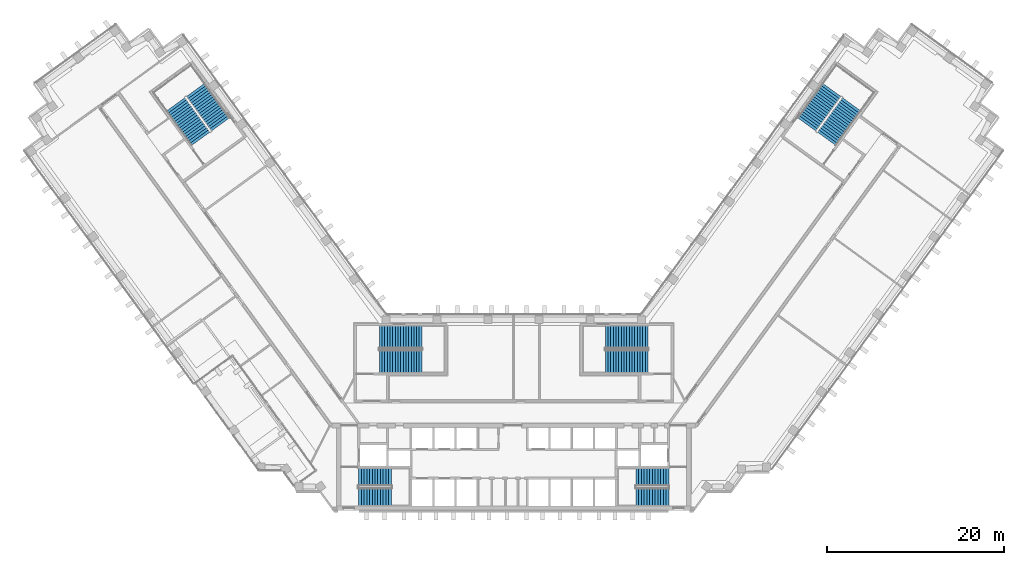
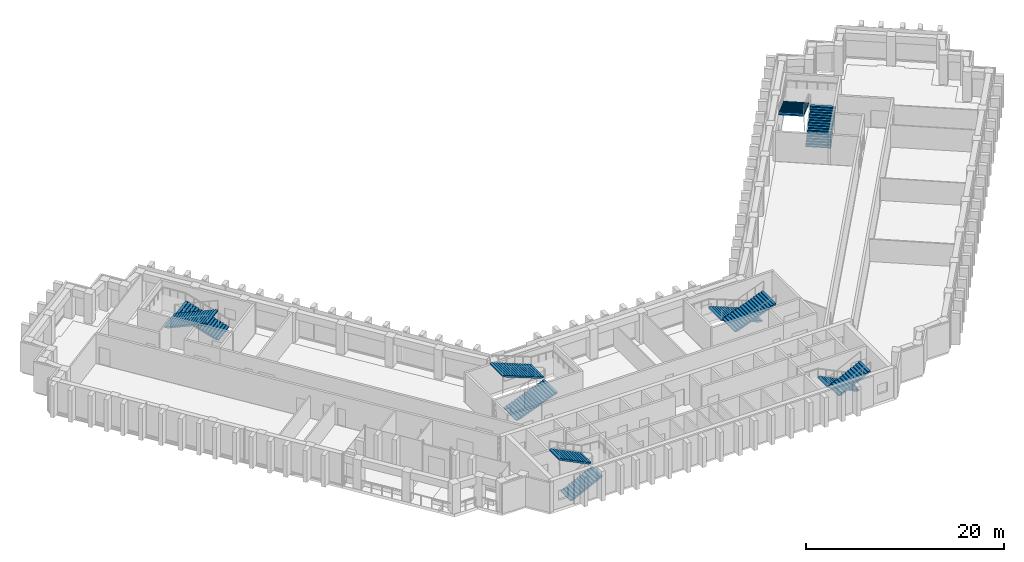
# One storey, part 13 of 16: 12 stair flights, 6 elements without a shape of their own.
"""IFC4 building model written with IfcOpenShell, lengths in metres."""

from ifc_helpers import new_model, si_unit, direction, frame, origin, place, context, subcontext, project, spatial, polyline, outline, extrude, material, type_object, element, aggregate, save


model = new_model("IFC4")

# Units and contexts
model_context = context("Model", 3, precision=1e-05, world=origin(), true_north=direction((0.0, 1.0)))
body_context = subcontext(model_context, "Body", "Model", "MODEL_VIEW")
ifc_project = project(units=[si_unit("LENGTHUNIT", "METRE"), si_unit("AREAUNIT", "SQUARE_METRE"), si_unit("VOLUMEUNIT", "CUBIC_METRE"), si_unit("PLANEANGLEUNIT", "RADIAN"), si_unit("MASSUNIT", "GRAM", prefix="KILO")], contexts=[model_context])

# Site, building, storey
site_placement = place(None, origin())
site = spatial("IfcSite", under=ifc_project, at=site_placement, CompositionType="ELEMENT")
building_placement = place(site_placement, origin())
building = spatial("IfcBuilding", under=site, at=building_placement, Name="Quipu Civic Tower", CompositionType="ELEMENT")
storey_placement = place(building_placement, frame((0.0, 0.0, 63.0)))
storey = spatial("IfcBuildingStorey", under=building, at=storey_placement, Name="L14", CompositionType="ELEMENT", Elevation=63.0)

# Stair, stair flights
ifc_material_1 = material(Name="Concrete C40/50", Category="concrete")
stair_type_1 = type_object("IfcStairType", Name="Half turn stair 2000", PredefinedType="HALF_TURN_STAIR", material=ifc_material_1)
stair_1_placement = place(storey_placement, origin())
stair_1 = element("IfcStair", 1, at=stair_1_placement, inside=storey, type_object=stair_type_1, Name="Exit stair 1", PredefinedType="HALF_TURN_STAIR")
ifc_material_2 = material(Name="Concrete C40/50", Category="concrete")
stair_flight_type_1 = type_object("IfcStairFlightType", Name="Stair flight 2000", PredefinedType="STRAIGHT", material=ifc_material_2)
stair_flight_1_placement = place(storey_placement, frame((-17.5, -9.5, 0.0), z_axis=(0.0, 0.0, 1.0), x_axis=(1.0, 0.0, 0.0)))
stair_flight_1 = element("IfcStairFlight", 2, at=stair_flight_1_placement, type_object=stair_flight_type_1, Name="ST-1 flight 1", NumberOfRisers=13, NumberOfTreads=12, PredefinedType="STRAIGHT", RiserHeight=0.153846154, TreadLength=0.31, context=body_context, shape_type="SweptSolid", body=[
    extrude(outline(polyline([(0.0, 0.0), (0.0, 0.15380859375), (0.31005859375, 0.15380859375), (0.31005859375, 0.3076171875), (0.6201171875, 0.3076171875), (0.6201171875, 0.46142578125), (0.929931640625, 0.46142578125), (0.929931640625, 0.615478515625), (1.239990234375, 0.615478515625), (1.239990234375, 0.769287109375), (1.550048828125, 0.769287109375), (1.550048828125, 0.923095703125), (1.860107421875, 0.923095703125), (1.860107421875, 1.076904296875), (2.169921875, 1.076904296875), (2.169921875, 1.230712890625), (2.47998046875, 1.230712890625), (2.47998046875, 1.384521484375), (2.7900390625, 1.384521484375), (2.7900390625, 1.53857421875), (3.10009765625, 1.53857421875), (3.10009765625, 1.6923828125), (3.409912109375, 1.6923828125), (3.409912109375, 1.84619140625), (3.719970703125, 1.84619140625), (3.719970703125, 2.0), (3.719970703125, 1.6787109375), (0.337158203125, 0.0), (0.0, 0.0)])), frame((0.0, 1.0, 0.0), z_axis=(0.0, -1.0, 0.0), x_axis=(1.0, 0.0, 0.0)), (0.0, 0.0, 1.0), 2.0),
])
stair_flight_2_placement = place(storey_placement, frame((-13.780029296875, -7.25, 2.0), z_axis=(0.0, 0.0, 1.0), x_axis=(-1.0, 0.0, 0.0)))
stair_flight_2 = element("IfcStairFlight", 3, at=stair_flight_2_placement, type_object=stair_flight_type_1, Name="ST-1 flight 2", NumberOfRisers=13, NumberOfTreads=12, PredefinedType="STRAIGHT", RiserHeight=0.153846154, TreadLength=0.31, context=body_context, shape_type="SweptSolid", body=[
    extrude(outline(polyline([(0.0, 0.0), (0.0, 0.15380859375), (0.31005859375, 0.15380859375), (0.31005859375, 0.3076171875), (0.6201171875, 0.3076171875), (0.6201171875, 0.46142578125), (0.929931640625, 0.46142578125), (0.929931640625, 0.615478515625), (1.239990234375, 0.615478515625), (1.239990234375, 0.769287109375), (1.550048828125, 0.769287109375), (1.550048828125, 0.923095703125), (1.860107421875, 0.923095703125), (1.860107421875, 1.076904296875), (2.169921875, 1.076904296875), (2.169921875, 1.230712890625), (2.47998046875, 1.230712890625), (2.47998046875, 1.384521484375), (2.7900390625, 1.384521484375), (2.7900390625, 1.53857421875), (3.10009765625, 1.53857421875), (3.10009765625, 1.6923828125), (3.409912109375, 1.6923828125), (3.409912109375, 1.84619140625), (3.719970703125, 1.84619140625), (3.719970703125, 2.0), (3.719970703125, 1.6787109375), (0.337158203125, 0.0), (0.0, 0.0)])), frame((0.0, 1.0, 0.0), z_axis=(0.0, -1.0, 0.0), x_axis=(1.0, 0.0, 0.0)), (0.0, 0.0, 1.0), 2.0),
])
aggregate(stair_1, [stair_flight_1, stair_flight_2])

stair_2_placement = place(storey_placement, origin())
stair_2 = element("IfcStair", 4, at=stair_2_placement, inside=storey, type_object=stair_type_1, Name="Exit stair 2", PredefinedType="HALF_TURN_STAIR")
stair_flight_3_placement = place(storey_placement, frame((17.5, -7.25, 0.0), z_axis=(0.0, 0.0, 1.0), x_axis=(-1.0, 0.0, 0.0)))
stair_flight_3 = element("IfcStairFlight", 5, at=stair_flight_3_placement, type_object=stair_flight_type_1, Name="ST-2 flight 1", NumberOfRisers=13, NumberOfTreads=12, PredefinedType="STRAIGHT", RiserHeight=0.153846154, TreadLength=0.31, context=body_context, shape_type="SweptSolid", body=[
    extrude(outline(polyline([(0.0, 0.0), (0.0, 0.15380859375), (0.31005859375, 0.15380859375), (0.31005859375, 0.3076171875), (0.6201171875, 0.3076171875), (0.6201171875, 0.46142578125), (0.929931640625, 0.46142578125), (0.929931640625, 0.615478515625), (1.239990234375, 0.615478515625), (1.239990234375, 0.769287109375), (1.550048828125, 0.769287109375), (1.550048828125, 0.923095703125), (1.860107421875, 0.923095703125), (1.860107421875, 1.076904296875), (2.169921875, 1.076904296875), (2.169921875, 1.230712890625), (2.47998046875, 1.230712890625), (2.47998046875, 1.384521484375), (2.7900390625, 1.384521484375), (2.7900390625, 1.53857421875), (3.10009765625, 1.53857421875), (3.10009765625, 1.6923828125), (3.409912109375, 1.6923828125), (3.409912109375, 1.84619140625), (3.719970703125, 1.84619140625), (3.719970703125, 2.0), (3.719970703125, 1.6787109375), (0.337158203125, 0.0), (0.0, 0.0)])), frame((0.0, 1.0, 0.0), z_axis=(0.0, -1.0, 0.0), x_axis=(1.0, 0.0, 0.0)), (0.0, 0.0, 1.0), 2.0),
])
stair_flight_4_placement = place(storey_placement, frame((13.780029296875, -9.5, 2.0), z_axis=(0.0, 0.0, 1.0), x_axis=(1.0, 0.0, 0.0)))
stair_flight_4 = element("IfcStairFlight", 6, at=stair_flight_4_placement, type_object=stair_flight_type_1, Name="ST-2 flight 2", NumberOfRisers=13, NumberOfTreads=12, PredefinedType="STRAIGHT", RiserHeight=0.153846154, TreadLength=0.31, context=body_context, shape_type="SweptSolid", body=[
    extrude(outline(polyline([(0.0, 0.0), (0.0, 0.15380859375), (0.31005859375, 0.15380859375), (0.31005859375, 0.3076171875), (0.6201171875, 0.3076171875), (0.6201171875, 0.46142578125), (0.929931640625, 0.46142578125), (0.929931640625, 0.615478515625), (1.239990234375, 0.615478515625), (1.239990234375, 0.769287109375), (1.550048828125, 0.769287109375), (1.550048828125, 0.923095703125), (1.860107421875, 0.923095703125), (1.860107421875, 1.076904296875), (2.169921875, 1.076904296875), (2.169921875, 1.230712890625), (2.47998046875, 1.230712890625), (2.47998046875, 1.384521484375), (2.7900390625, 1.384521484375), (2.7900390625, 1.53857421875), (3.10009765625, 1.53857421875), (3.10009765625, 1.6923828125), (3.409912109375, 1.6923828125), (3.409912109375, 1.84619140625), (3.719970703125, 1.84619140625), (3.719970703125, 2.0), (3.719970703125, 1.6787109375), (0.337158203125, 0.0), (0.0, 0.0)])), frame((0.0, 1.0, 0.0), z_axis=(0.0, -1.0, 0.0), x_axis=(1.0, 0.0, 0.0)), (0.0, 0.0, 1.0), 2.0),
])
aggregate(stair_2, [stair_flight_3, stair_flight_4])

ifc_material_3 = material(Name="Concrete C40/50", Category="concrete")
stair_type_2 = type_object("IfcStairType", Name="Half turn stair 2600", PredefinedType="HALF_TURN_STAIR", material=ifc_material_3)
stair_3_placement = place(storey_placement, origin())
stair_3 = element("IfcStair", 7, at=stair_3_placement, inside=storey, type_object=stair_type_2, Name="Exit stair 3", PredefinedType="HALF_TURN_STAIR")
ifc_material_4 = material(Name="Concrete C40/50", Category="concrete")
stair_flight_type_2 = type_object("IfcStairFlightType", Name="Stair flight 2600", PredefinedType="STRAIGHT", material=ifc_material_4)
stair_flight_5_placement = place(storey_placement, frame((-15.14990234375, 5.800048828125, 0.0), z_axis=(0.0, 0.0, 1.0), x_axis=(1.0, 0.0, 0.0)))
stair_flight_5 = element("IfcStairFlight", 8, at=stair_flight_5_placement, type_object=stair_flight_type_2, Name="ST-3 flight 1", NumberOfRisers=17, NumberOfTreads=16, PredefinedType="STRAIGHT", RiserHeight=0.117647059, TreadLength=0.3, context=body_context, shape_type="SweptSolid", body=[
    extrude(outline(polyline([(0.0, 0.0), (0.0, 0.11767578125), (0.300048828125, 0.11767578125), (0.300048828125, 0.2353515625), (0.60009765625, 0.2353515625), (0.60009765625, 0.35302734375), (0.89990234375, 0.35302734375), (0.89990234375, 0.470703125), (1.199951171875, 0.470703125), (1.199951171875, 0.588134765625), (1.5, 0.588134765625), (1.5, 0.705810546875), (1.800048828125, 0.705810546875), (1.800048828125, 0.823486328125), (2.10009765625, 0.823486328125), (2.10009765625, 0.941162109375), (2.39990234375, 0.941162109375), (2.39990234375, 1.058837890625), (2.699951171875, 1.058837890625), (2.699951171875, 1.176513671875), (3.0, 1.176513671875), (3.0, 1.294189453125), (3.300048828125, 1.294189453125), (3.300048828125, 1.411865234375), (3.60009765625, 1.411865234375), (3.60009765625, 1.529296875), (3.89990234375, 1.529296875), (3.89990234375, 1.64697265625), (4.199951171875, 1.64697265625), (4.199951171875, 1.7646484375), (4.5, 1.7646484375), (4.5, 1.88232421875), (4.800048828125, 1.88232421875), (4.800048828125, 2.0), (4.800048828125, 1.721435546875), (0.41064453125, 0.0), (0.0, 0.0)])), frame((0.0, 1.300048828125, 0.0), z_axis=(0.0, -1.0, 0.0), x_axis=(1.0, 0.0, 0.0)), (0.0, 0.0, 1.0), 2.60009765625),
])
stair_flight_6_placement = place(storey_placement, frame((-10.35009765625, 8.550048828125, 2.0), z_axis=(0.0, 0.0, 1.0), x_axis=(-1.0, 0.0, 0.0)))
stair_flight_6 = element("IfcStairFlight", 9, at=stair_flight_6_placement, type_object=stair_flight_type_2, Name="ST-3 flight 2", NumberOfRisers=17, NumberOfTreads=16, PredefinedType="STRAIGHT", RiserHeight=0.117647059, TreadLength=0.3, context=body_context, shape_type="SweptSolid", body=[
    extrude(outline(polyline([(0.0, 0.0), (0.0, 0.11767578125), (0.300048828125, 0.11767578125), (0.300048828125, 0.2353515625), (0.60009765625, 0.2353515625), (0.60009765625, 0.35302734375), (0.89990234375, 0.35302734375), (0.89990234375, 0.470703125), (1.199951171875, 0.470703125), (1.199951171875, 0.588134765625), (1.5, 0.588134765625), (1.5, 0.705810546875), (1.800048828125, 0.705810546875), (1.800048828125, 0.823486328125), (2.10009765625, 0.823486328125), (2.10009765625, 0.941162109375), (2.39990234375, 0.941162109375), (2.39990234375, 1.058837890625), (2.699951171875, 1.058837890625), (2.699951171875, 1.176513671875), (3.0, 1.176513671875), (3.0, 1.294189453125), (3.300048828125, 1.294189453125), (3.300048828125, 1.411865234375), (3.60009765625, 1.411865234375), (3.60009765625, 1.529296875), (3.89990234375, 1.529296875), (3.89990234375, 1.64697265625), (4.199951171875, 1.64697265625), (4.199951171875, 1.7646484375), (4.5, 1.7646484375), (4.5, 1.88232421875), (4.800048828125, 1.88232421875), (4.800048828125, 2.0), (4.800048828125, 1.721435546875), (0.41064453125, 0.0), (0.0, 0.0)])), frame((0.0, 1.300048828125, 0.0), z_axis=(0.0, -1.0, 0.0), x_axis=(1.0, 0.0, 0.0)), (0.0, 0.0, 1.0), 2.60009765625),
])
aggregate(stair_3, [stair_flight_5, stair_flight_6])

stair_4_placement = place(storey_placement, origin())
stair_4 = element("IfcStair", 10, at=stair_4_placement, inside=storey, type_object=stair_type_2, Name="Exit stair 4", PredefinedType="HALF_TURN_STAIR")
stair_flight_7_placement = place(storey_placement, frame((15.14990234375, 8.550048828125, 0.0), z_axis=(0.0, 0.0, 1.0), x_axis=(-1.0, 0.0, 0.0)))
stair_flight_7 = element("IfcStairFlight", 11, at=stair_flight_7_placement, type_object=stair_flight_type_2, Name="ST-4 flight 1", NumberOfRisers=17, NumberOfTreads=16, PredefinedType="STRAIGHT", RiserHeight=0.117647059, TreadLength=0.3, context=body_context, shape_type="SweptSolid", body=[
    extrude(outline(polyline([(0.0, 0.0), (0.0, 0.11767578125), (0.300048828125, 0.11767578125), (0.300048828125, 0.2353515625), (0.60009765625, 0.2353515625), (0.60009765625, 0.35302734375), (0.89990234375, 0.35302734375), (0.89990234375, 0.470703125), (1.199951171875, 0.470703125), (1.199951171875, 0.588134765625), (1.5, 0.588134765625), (1.5, 0.705810546875), (1.800048828125, 0.705810546875), (1.800048828125, 0.823486328125), (2.10009765625, 0.823486328125), (2.10009765625, 0.941162109375), (2.39990234375, 0.941162109375), (2.39990234375, 1.058837890625), (2.699951171875, 1.058837890625), (2.699951171875, 1.176513671875), (3.0, 1.176513671875), (3.0, 1.294189453125), (3.300048828125, 1.294189453125), (3.300048828125, 1.411865234375), (3.60009765625, 1.411865234375), (3.60009765625, 1.529296875), (3.89990234375, 1.529296875), (3.89990234375, 1.64697265625), (4.199951171875, 1.64697265625), (4.199951171875, 1.7646484375), (4.5, 1.7646484375), (4.5, 1.88232421875), (4.800048828125, 1.88232421875), (4.800048828125, 2.0), (4.800048828125, 1.721435546875), (0.41064453125, 0.0), (0.0, 0.0)])), frame((0.0, 1.300048828125, 0.0), z_axis=(0.0, -1.0, 0.0), x_axis=(1.0, 0.0, 0.0)), (0.0, 0.0, 1.0), 2.60009765625),
])
stair_flight_8_placement = place(storey_placement, frame((10.35009765625, 5.800048828125, 2.0), z_axis=(0.0, 0.0, 1.0), x_axis=(1.0, 0.0, 0.0)))
stair_flight_8 = element("IfcStairFlight", 12, at=stair_flight_8_placement, type_object=stair_flight_type_2, Name="ST-4 flight 2", NumberOfRisers=17, NumberOfTreads=16, PredefinedType="STRAIGHT", RiserHeight=0.117647059, TreadLength=0.3, context=body_context, shape_type="SweptSolid", body=[
    extrude(outline(polyline([(0.0, 0.0), (0.0, 0.11767578125), (0.300048828125, 0.11767578125), (0.300048828125, 0.2353515625), (0.60009765625, 0.2353515625), (0.60009765625, 0.35302734375), (0.89990234375, 0.35302734375), (0.89990234375, 0.470703125), (1.199951171875, 0.470703125), (1.199951171875, 0.588134765625), (1.5, 0.588134765625), (1.5, 0.705810546875), (1.800048828125, 0.705810546875), (1.800048828125, 0.823486328125), (2.10009765625, 0.823486328125), (2.10009765625, 0.941162109375), (2.39990234375, 0.941162109375), (2.39990234375, 1.058837890625), (2.699951171875, 1.058837890625), (2.699951171875, 1.176513671875), (3.0, 1.176513671875), (3.0, 1.294189453125), (3.300048828125, 1.294189453125), (3.300048828125, 1.411865234375), (3.60009765625, 1.411865234375), (3.60009765625, 1.529296875), (3.89990234375, 1.529296875), (3.89990234375, 1.64697265625), (4.199951171875, 1.64697265625), (4.199951171875, 1.7646484375), (4.5, 1.7646484375), (4.5, 1.88232421875), (4.800048828125, 1.88232421875), (4.800048828125, 2.0), (4.800048828125, 1.721435546875), (0.41064453125, 0.0), (0.0, 0.0)])), frame((0.0, 1.300048828125, 0.0), z_axis=(0.0, -1.0, 0.0), x_axis=(1.0, 0.0, 0.0)), (0.0, 0.0, 1.0), 2.60009765625),
])
aggregate(stair_4, [stair_flight_7, stair_flight_8])

stair_5_placement = place(storey_placement, origin())
stair_5 = element("IfcStair", 13, at=stair_5_placement, inside=storey, type_object=stair_type_2, Name="Exit stair 6", PredefinedType="HALF_TURN_STAIR")
stair_flight_9_placement = place(storey_placement, frame((-33.067626953125, 32.5322265625, 0.0), z_axis=(0.0, 0.0, 1.0), x_axis=(-0.587785252292, 0.809016994375, 0.0)))
stair_flight_9 = element("IfcStairFlight", 14, at=stair_flight_9_placement, type_object=stair_flight_type_2, Name="ST-6 flight 1", NumberOfRisers=17, NumberOfTreads=16, PredefinedType="STRAIGHT", RiserHeight=0.117647059, TreadLength=0.3, context=body_context, shape_type="SweptSolid", body=[
    extrude(outline(polyline([(0.0, 0.0), (0.0, 0.11767578125), (0.300048828125, 0.11767578125), (0.300048828125, 0.2353515625), (0.60009765625, 0.2353515625), (0.60009765625, 0.35302734375), (0.89990234375, 0.35302734375), (0.89990234375, 0.470703125), (1.199951171875, 0.470703125), (1.199951171875, 0.588134765625), (1.5, 0.588134765625), (1.5, 0.705810546875), (1.800048828125, 0.705810546875), (1.800048828125, 0.823486328125), (2.10009765625, 0.823486328125), (2.10009765625, 0.941162109375), (2.39990234375, 0.941162109375), (2.39990234375, 1.058837890625), (2.699951171875, 1.058837890625), (2.699951171875, 1.176513671875), (3.0, 1.176513671875), (3.0, 1.294189453125), (3.300048828125, 1.294189453125), (3.300048828125, 1.411865234375), (3.60009765625, 1.411865234375), (3.60009765625, 1.529296875), (3.89990234375, 1.529296875), (3.89990234375, 1.64697265625), (4.199951171875, 1.64697265625), (4.199951171875, 1.7646484375), (4.5, 1.7646484375), (4.5, 1.88232421875), (4.800048828125, 1.88232421875), (4.800048828125, 2.0), (4.800048828125, 1.721435546875), (0.41064453125, 0.0), (0.0, 0.0)])), frame((0.0, 1.300048828125, 0.0), z_axis=(0.0, -1.0, 0.0), x_axis=(1.0, 0.0, 0.0)), (0.0, 0.0, 1.0), 2.60009765625),
])
stair_flight_10_placement = place(storey_placement, frame((-38.11376953125, 34.799072265625, 2.0), z_axis=(0.0, 0.0, 1.0), x_axis=(0.587785252292, -0.809016994375, 0.0)))
stair_flight_10 = element("IfcStairFlight", 15, at=stair_flight_10_placement, type_object=stair_flight_type_2, Name="ST-6 flight 2", NumberOfRisers=17, NumberOfTreads=16, PredefinedType="STRAIGHT", RiserHeight=0.117647059, TreadLength=0.3, context=body_context, shape_type="SweptSolid", body=[
    extrude(outline(polyline([(0.0, 0.0), (0.0, 0.11767578125), (0.300048828125, 0.11767578125), (0.300048828125, 0.2353515625), (0.60009765625, 0.2353515625), (0.60009765625, 0.35302734375), (0.89990234375, 0.35302734375), (0.89990234375, 0.470703125), (1.199951171875, 0.470703125), (1.199951171875, 0.588134765625), (1.5, 0.588134765625), (1.5, 0.705810546875), (1.800048828125, 0.705810546875), (1.800048828125, 0.823486328125), (2.10009765625, 0.823486328125), (2.10009765625, 0.941162109375), (2.39990234375, 0.941162109375), (2.39990234375, 1.058837890625), (2.699951171875, 1.058837890625), (2.699951171875, 1.176513671875), (3.0, 1.176513671875), (3.0, 1.294189453125), (3.300048828125, 1.294189453125), (3.300048828125, 1.411865234375), (3.60009765625, 1.411865234375), (3.60009765625, 1.529296875), (3.89990234375, 1.529296875), (3.89990234375, 1.64697265625), (4.199951171875, 1.64697265625), (4.199951171875, 1.7646484375), (4.5, 1.7646484375), (4.5, 1.88232421875), (4.800048828125, 1.88232421875), (4.800048828125, 2.0), (4.800048828125, 1.721435546875), (0.41064453125, 0.0), (0.0, 0.0)])), frame((0.0, 1.300048828125, 0.0), z_axis=(0.0, -1.0, 0.0), x_axis=(1.0, 0.0, 0.0)), (0.0, 0.0, 1.0), 2.60009765625),
])
aggregate(stair_5, [stair_flight_9, stair_flight_10])

stair_6_placement = place(storey_placement, origin())
stair_6 = element("IfcStair", 16, at=stair_6_placement, inside=storey, type_object=stair_type_2, Name="Exit stair 7", PredefinedType="HALF_TURN_STAIR")
stair_flight_11_placement = place(storey_placement, frame((35.29248046875, 30.915771484375, 0.0), z_axis=(0.0, 0.0, 1.0), x_axis=(0.587785252292, 0.809016994375, 0.0)))
stair_flight_11 = element("IfcStairFlight", 17, at=stair_flight_11_placement, type_object=stair_flight_type_2, Name="ST-7 flight 1", NumberOfRisers=17, NumberOfTreads=16, PredefinedType="STRAIGHT", RiserHeight=0.117647059, TreadLength=0.3, context=body_context, shape_type="SweptSolid", body=[
    extrude(outline(polyline([(0.0, 0.0), (0.0, 0.11767578125), (0.300048828125, 0.11767578125), (0.300048828125, 0.2353515625), (0.60009765625, 0.2353515625), (0.60009765625, 0.35302734375), (0.89990234375, 0.35302734375), (0.89990234375, 0.470703125), (1.199951171875, 0.470703125), (1.199951171875, 0.588134765625), (1.5, 0.588134765625), (1.5, 0.705810546875), (1.800048828125, 0.705810546875), (1.800048828125, 0.823486328125), (2.10009765625, 0.823486328125), (2.10009765625, 0.941162109375), (2.39990234375, 0.941162109375), (2.39990234375, 1.058837890625), (2.699951171875, 1.058837890625), (2.699951171875, 1.176513671875), (3.0, 1.176513671875), (3.0, 1.294189453125), (3.300048828125, 1.294189453125), (3.300048828125, 1.411865234375), (3.60009765625, 1.411865234375), (3.60009765625, 1.529296875), (3.89990234375, 1.529296875), (3.89990234375, 1.64697265625), (4.199951171875, 1.64697265625), (4.199951171875, 1.7646484375), (4.5, 1.7646484375), (4.5, 1.88232421875), (4.800048828125, 1.88232421875), (4.800048828125, 2.0), (4.800048828125, 1.721435546875), (0.41064453125, 0.0), (0.0, 0.0)])), frame((0.0, 1.300048828125, 0.0), z_axis=(0.0, -1.0, 0.0), x_axis=(1.0, 0.0, 0.0)), (0.0, 0.0, 1.0), 2.60009765625),
])
stair_flight_12_placement = place(storey_placement, frame((35.888916015625, 36.41552734375, 2.0), z_axis=(0.0, 0.0, 1.0), x_axis=(-0.587785252292, -0.809016994375, 0.0)))
stair_flight_12 = element("IfcStairFlight", 18, at=stair_flight_12_placement, type_object=stair_flight_type_2, Name="ST-7 flight 2", NumberOfRisers=17, NumberOfTreads=16, PredefinedType="STRAIGHT", RiserHeight=0.117647059, TreadLength=0.3, context=body_context, shape_type="SweptSolid", body=[
    extrude(outline(polyline([(0.0, 0.0), (0.0, 0.11767578125), (0.300048828125, 0.11767578125), (0.300048828125, 0.2353515625), (0.60009765625, 0.2353515625), (0.60009765625, 0.35302734375), (0.89990234375, 0.35302734375), (0.89990234375, 0.470703125), (1.199951171875, 0.470703125), (1.199951171875, 0.588134765625), (1.5, 0.588134765625), (1.5, 0.705810546875), (1.800048828125, 0.705810546875), (1.800048828125, 0.823486328125), (2.10009765625, 0.823486328125), (2.10009765625, 0.941162109375), (2.39990234375, 0.941162109375), (2.39990234375, 1.058837890625), (2.699951171875, 1.058837890625), (2.699951171875, 1.176513671875), (3.0, 1.176513671875), (3.0, 1.294189453125), (3.300048828125, 1.294189453125), (3.300048828125, 1.411865234375), (3.60009765625, 1.411865234375), (3.60009765625, 1.529296875), (3.89990234375, 1.529296875), (3.89990234375, 1.64697265625), (4.199951171875, 1.64697265625), (4.199951171875, 1.7646484375), (4.5, 1.7646484375), (4.5, 1.88232421875), (4.800048828125, 1.88232421875), (4.800048828125, 2.0), (4.800048828125, 1.721435546875), (0.41064453125, 0.0), (0.0, 0.0)])), frame((0.0, 1.300048828125, 0.0), z_axis=(0.0, -1.0, 0.0), x_axis=(1.0, 0.0, 0.0)), (0.0, 0.0, 1.0), 2.60009765625),
])
aggregate(stair_6, [stair_flight_11, stair_flight_12])

save(model, "model.ifc")
